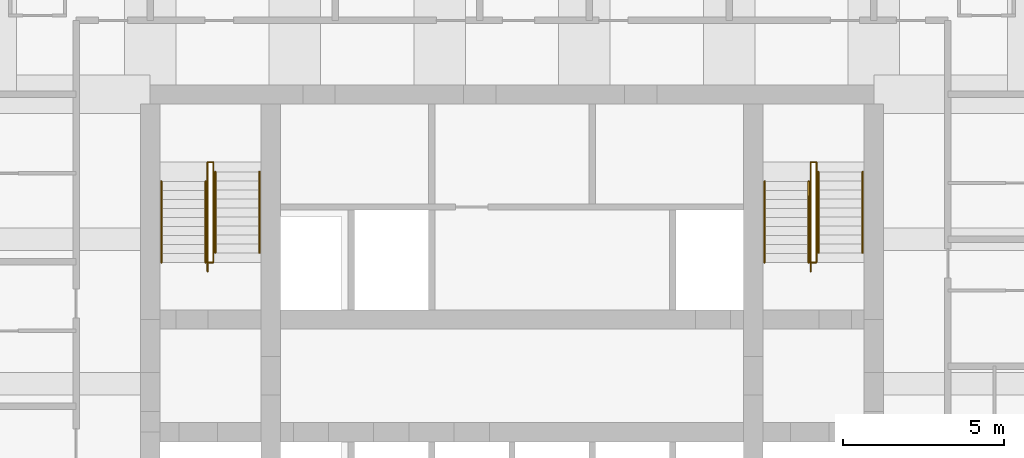
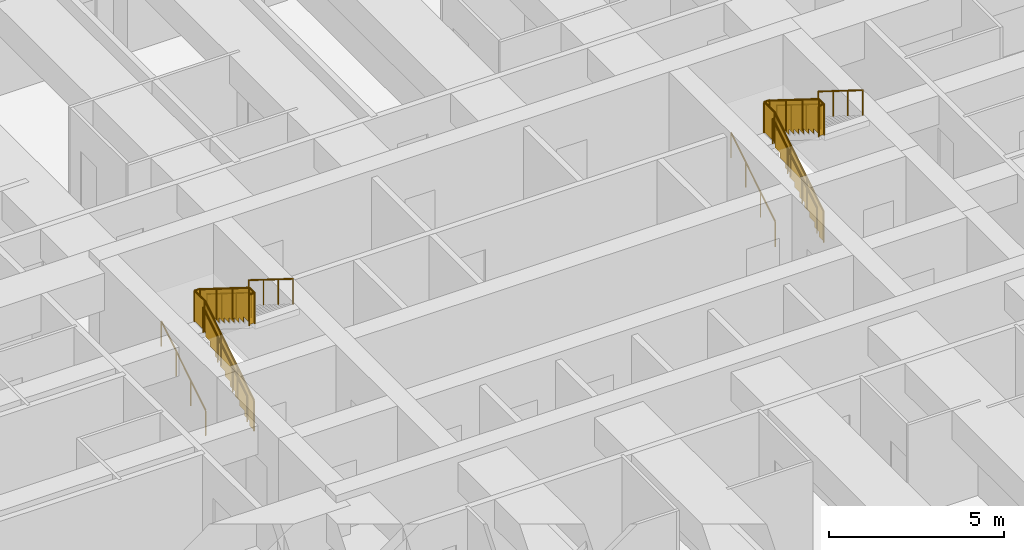
# One storey, part 8 of 8: 12 railings.
"""IFC4 building model written with IfcOpenShell, lengths in metres."""

from ifc_helpers import new_model, si_unit, direction, frame, origin, origin_2d, place, context, subcontext, project, spatial, polyline, circle, outline, extrude, material, type_object, element, save


model = new_model("IFC4")

# Units and contexts
model_context = context("Model", 3, precision=1e-05, world=origin(), true_north=direction((0.0, 1.0)))
body_context = subcontext(model_context, "Body", "Model", "MODEL_VIEW")
ifc_project = project(units=[si_unit("LENGTHUNIT", "METRE"), si_unit("AREAUNIT", "SQUARE_METRE"), si_unit("VOLUMEUNIT", "CUBIC_METRE"), si_unit("PLANEANGLEUNIT", "RADIAN"), si_unit("MASSUNIT", "GRAM", prefix="KILO")], contexts=[model_context])

# Site, building, storey
site_placement = place(None, origin())
site = spatial("IfcSite", under=ifc_project, at=site_placement, CompositionType="ELEMENT")
building_placement = place(site_placement, origin())
building = spatial("IfcBuilding", under=site, at=building_placement, Name="Kilele Tower Hotel", CompositionType="ELEMENT")
storey_placement = place(building_placement, frame((0.0, 0.0, 75.199951171875)))
storey = spatial("IfcBuildingStorey", under=building, at=storey_placement, Name="L18", CompositionType="ELEMENT", Elevation=75.199951171875)

# Railings
ifc_material_1 = material(Name="Steel handrail", Category="steel")
railing_type_1 = type_object("IfcRailingType", Name="Handrail 900", PredefinedType="HANDRAIL", material=ifc_material_1)
for number, where, name in (
    (1, (13.85009765625, 21.77490234375, 0.175048828125), "Handrail ST1 flight 1"),
    (2, (15.22509765625, 21.77490234375, 0.175048828125), "Handrail ST1 flight 1"),
):
    element("IfcRailing", number, at=place(storey_placement, frame(where)), inside=storey, type_object=railing_type_1, Name=name, PredefinedType="HANDRAIL", context=body_context, shape_type="SweptSolid", body=[
        extrude(circle(Radius=0.02490234375, at=origin_2d()), frame((0.0, 0.0, 0.875), z_axis=(0.0, 0.848007534815, 0.529984170421), x_axis=(-1.0, 0.0, 0.0)), (0.0, 0.0, 1.0), 2.9716796875),
        extrude(circle(Radius=0.02001953125, at=origin_2d()), origin(), (0.0, 0.0, 1.0), 0.849853515625),
        extrude(circle(Radius=0.02001953125, at=origin_2d()), frame((0.0, 0.840087890625, 0.52490234375)), (0.0, 0.0, 1.0), 0.849853515625),
        extrude(circle(Radius=0.02001953125, at=origin_2d()), frame((0.0, 1.679931640625, 1.050048828125)), (0.0, 0.0, 1.0), 0.849853515625),
        extrude(circle(Radius=0.02001953125, at=origin_2d()), frame((0.0, 2.52001953125, 1.574951171875)), (0.0, 0.0, 1.0), 0.849853515625),
    ])
for number, where, name in (
    (3, (15.52490234375, 24.594970703125, 1.925048828125), "Handrail ST1 flight 2"),
    (4, (16.89990234375, 24.594970703125, 1.925048828125), "Handrail ST1 flight 2"),
):
    element("IfcRailing", number, at=place(storey_placement, frame(where)), inside=storey, type_object=railing_type_1, Name=name, PredefinedType="HANDRAIL", context=body_context, shape_type="SweptSolid", body=[
        extrude(circle(Radius=0.02490234375, at=origin_2d()), frame((0.0, 0.0, 0.875), z_axis=(0.0, -0.848007534815, 0.529984170421), x_axis=(1.0, 0.0, 0.0)), (0.0, 0.0, 1.0), 2.9716796875),
        extrude(circle(Radius=0.02001953125, at=origin_2d()), origin(), (0.0, 0.0, 1.0), 0.849853515625),
        extrude(circle(Radius=0.02001953125, at=origin_2d()), frame((0.0, -0.840087890625, 0.52490234375)), (0.0, 0.0, 1.0), 0.849853515625),
        extrude(circle(Radius=0.02001953125, at=origin_2d()), frame((0.0, -1.679931640625, 1.050048828125)), (0.0, 0.0, 1.0), 0.849853515625),
        extrude(circle(Radius=0.02001953125, at=origin_2d()), frame((0.0, -2.52001953125, 1.574951171875)), (0.0, 0.0, 1.0), 0.849853515625),
    ])
for number, where, name in (
    (5, (32.60009765625, 21.77490234375, 0.175048828125), "Handrail ST2 flight 1"),
    (6, (33.97509765625, 21.77490234375, 0.175048828125), "Handrail ST2 flight 1"),
):
    element("IfcRailing", number, at=place(storey_placement, frame(where)), inside=storey, type_object=railing_type_1, Name=name, PredefinedType="HANDRAIL", context=body_context, shape_type="SweptSolid", body=[
        extrude(circle(Radius=0.02490234375, at=origin_2d()), frame((0.0, 0.0, 0.875), z_axis=(0.0, 0.848007534815, 0.529984170421), x_axis=(-1.0, 0.0, 0.0)), (0.0, 0.0, 1.0), 2.9716796875),
        extrude(circle(Radius=0.02001953125, at=origin_2d()), origin(), (0.0, 0.0, 1.0), 0.849853515625),
        extrude(circle(Radius=0.02001953125, at=origin_2d()), frame((0.0, 0.840087890625, 0.52490234375)), (0.0, 0.0, 1.0), 0.849853515625),
        extrude(circle(Radius=0.02001953125, at=origin_2d()), frame((0.0, 1.679931640625, 1.050048828125)), (0.0, 0.0, 1.0), 0.849853515625),
        extrude(circle(Radius=0.02001953125, at=origin_2d()), frame((0.0, 2.52001953125, 1.574951171875)), (0.0, 0.0, 1.0), 0.849853515625),
    ])
for number, where, name in (
    (7, (34.27490234375, 24.594970703125, 1.925048828125), "Handrail ST2 flight 2"),
    (8, (35.64990234375, 24.594970703125, 1.925048828125), "Handrail ST2 flight 2"),
):
    element("IfcRailing", number, at=place(storey_placement, frame(where)), inside=storey, type_object=railing_type_1, Name=name, PredefinedType="HANDRAIL", context=body_context, shape_type="SweptSolid", body=[
        extrude(circle(Radius=0.02490234375, at=origin_2d()), frame((0.0, 0.0, 0.875), z_axis=(0.0, -0.848007534815, 0.529984170421), x_axis=(1.0, 0.0, 0.0)), (0.0, 0.0, 1.0), 2.9716796875),
        extrude(circle(Radius=0.02001953125, at=origin_2d()), origin(), (0.0, 0.0, 1.0), 0.849853515625),
        extrude(circle(Radius=0.02001953125, at=origin_2d()), frame((0.0, -0.840087890625, 0.52490234375)), (0.0, 0.0, 1.0), 0.849853515625),
        extrude(circle(Radius=0.02001953125, at=origin_2d()), frame((0.0, -1.679931640625, 1.050048828125)), (0.0, 0.0, 1.0), 0.849853515625),
        extrude(circle(Radius=0.02001953125, at=origin_2d()), frame((0.0, -2.52001953125, 1.574951171875)), (0.0, 0.0, 1.0), 0.849853515625),
    ])
ifc_material_2 = material(Name="Steel guard", Category="steel")
railing_type_2 = type_object("IfcRailingType", Name="Stair guard 1100", PredefinedType="GUARDRAIL", material=ifc_material_2)
railing_1_placement = place(storey_placement, frame((15.284912109375, 21.4951171875, 0.0)))
element("IfcRailing", 9, at=railing_1_placement, inside=storey, type_object=railing_type_2, Name="Stair well guard ST1 flight 1", PredefinedType="GUARDRAIL", context=body_context, shape_type="SweptSolid", body=[
    extrude(circle(Radius=0.02490234375, at=origin_2d()), frame((0.0, 0.0, 1.0751953125), z_axis=(0.0, 0.847981687118, 0.530025526095), x_axis=(-1.0, 0.0, 0.0)), (0.0, 0.0, 1.0), 3.3017578125),
    extrude(circle(Radius=0.02490234375, at=origin_2d()), frame((0.0, 2.7998046875, 2.8251953125), z_axis=(0.0, 1.0, 0.0), x_axis=(-1.0, 0.0, 0.0)), (0.0, 0.0, 1.0), 0.60009765625),
    extrude(circle(Radius=0.02490234375, at=origin_2d()), frame((0.0, 3.39990234375, 2.8251953125), z_axis=(1.0, 0.0, 0.0), x_axis=(0.0, 1.0, 0.0)), (0.0, 0.0, 1.0), 0.18017578125),
    extrude(circle(Radius=0.02490234375, at=origin_2d()), origin(), (0.0, 0.0, 1.0), 1.050048828125),
    extrude(circle(Radius=0.02490234375, at=origin_2d()), frame((0.0, 0.933349609375, 0.583251953125)), (0.0, 0.0, 1.0), 1.050048828125),
    extrude(circle(Radius=0.02490234375, at=origin_2d()), frame((0.0, 1.866455078125, 1.166748046875)), (0.0, 0.0, 1.0), 1.050048828125),
    extrude(circle(Radius=0.02490234375, at=origin_2d()), frame((0.0, 2.7998046875, 1.75)), (0.0, 0.0, 1.0), 1.050048828125),
    extrude(circle(Radius=0.02490234375, at=origin_2d()), frame((0.0, 3.39990234375, 1.75)), (0.0, 0.0, 1.0), 1.050048828125),
    extrude(circle(Radius=0.02490234375, at=origin_2d()), frame((0.18017578125, 3.39990234375, 1.75)), (0.0, 0.0, 1.0), 1.050048828125),
    extrude(outline(polyline([(0.012451171875, 0.030029296875), (0.25, 0.030029296875), (0.25, 0.205078125), (0.530029296875, 0.205078125), (0.530029296875, 0.380126953125), (0.809814453125, 0.380126953125), (0.809814453125, 0.554931640625), (1.08984375, 0.554931640625), (1.08984375, 0.72998046875), (1.369873046875, 0.72998046875), (1.369873046875, 0.905029296875), (1.64990234375, 0.905029296875), (1.64990234375, 1.080078125), (1.929931640625, 1.080078125), (1.929931640625, 1.255126953125), (2.209716796875, 1.255126953125), (2.209716796875, 1.429931640625), (2.48974609375, 1.429931640625), (2.48974609375, 1.60498046875), (2.769775390625, 1.60498046875), (2.769775390625, 1.780029296875), (2.787353515625, 1.780029296875), (2.787353515625, 2.787841796875), (0.012451171875, 1.053466796875), (0.012451171875, 0.030029296875)])), frame((-0.005859375, 0.0, 0.0), z_axis=(1.0, 0.0, 0.0), x_axis=(0.0, 1.0, 0.0)), (0.0, 0.0, 1.0), 0.011962890625),
    extrude(outline(polyline([(0.012451171875, 0.030029296875), (0.587646484375, 0.030029296875), (0.587646484375, 1.050048828125), (0.012451171875, 1.050048828125), (0.012451171875, 0.030029296875)])), frame((-0.005859375, 2.7998046875, 1.75), z_axis=(1.0, 0.0, 0.0), x_axis=(0.0, 1.0, 0.0)), (0.0, 0.0, 1.0), 0.011962890625),
    extrude(outline(polyline([(0.012451171875, 0.030029296875), (0.18017578125, 0.030029296875), (0.18017578125, 1.050048828125), (0.012451171875, 1.050048828125), (0.012451171875, 0.030029296875)])), frame((0.0, 3.40576171875, 1.75), z_axis=(0.0, -1.0, 0.0), x_axis=(1.0, 0.0, 0.0)), (0.0, 0.0, 1.0), 0.011962890625),
])
railing_2_placement = place(storey_placement, frame((15.465087890625, 24.89501953125, 1.75)))
element("IfcRailing", 10, at=railing_2_placement, inside=storey, type_object=railing_type_2, Name="Stair well guard ST1 flight 2", PredefinedType="GUARDRAIL", context=body_context, shape_type="SweptSolid", body=[
    extrude(circle(Radius=0.02490234375, at=origin_2d()), frame((0.0, 0.0, 1.0751953125), z_axis=(0.0, -1.0, 0.0), x_axis=(1.0, 0.0, 0.0)), (0.0, 0.0, 1.0), 0.02001953125),
    extrude(circle(Radius=0.02490234375, at=origin_2d()), frame((0.0, -0.02001953125, 1.0751953125), z_axis=(0.0, -0.848002457836, 0.529992293815), x_axis=(1.0, 0.0, 0.0)), (0.0, 0.0, 1.0), 3.302001953125),
    extrude(circle(Radius=0.02490234375, at=origin_2d()), frame((0.0, -2.820068359375, 2.8251953125), z_axis=(0.0, -1.0, 0.0), x_axis=(1.0, 0.0, 0.0)), (0.0, 0.0, 1.0), 0.300048828125),
    extrude(circle(Radius=0.02490234375, at=origin_2d()), frame((0.0, -3.1201171875, 2.8251953125), z_axis=(-1.0, 0.0, 0.0), x_axis=(0.0, -1.0, 0.0)), (0.0, 0.0, 1.0), 0.18017578125),
    extrude(circle(Radius=0.02490234375, at=origin_2d()), origin(), (0.0, 0.0, 1.0), 1.050048828125),
    extrude(circle(Radius=0.02490234375, at=origin_2d()), frame((0.0, -0.02001953125, 0.0)), (0.0, 0.0, 1.0), 1.050048828125),
    extrude(circle(Radius=0.02490234375, at=origin_2d()), frame((0.0, -0.953369140625, 0.583251953125)), (0.0, 0.0, 1.0), 1.050048828125),
    extrude(circle(Radius=0.02490234375, at=origin_2d()), frame((0.0, -1.88671875, 1.166748046875)), (0.0, 0.0, 1.0), 1.050048828125),
    extrude(circle(Radius=0.02490234375, at=origin_2d()), frame((0.0, -2.820068359375, 1.75)), (0.0, 0.0, 1.0), 1.050048828125),
    extrude(circle(Radius=0.02490234375, at=origin_2d()), frame((0.0, -3.1201171875, 1.75)), (0.0, 0.0, 1.0), 1.050048828125),
    extrude(circle(Radius=0.02490234375, at=origin_2d()), frame((-0.18017578125, -3.1201171875, 1.75)), (0.0, 0.0, 1.0), 1.050048828125),
    extrude(outline(polyline([(0.012451171875, 0.030029296875), (0.25, 0.030029296875), (0.25, 0.205078125), (0.530029296875, 0.205078125), (0.530029296875, 0.380126953125), (0.81005859375, 0.380126953125), (0.81005859375, 0.554931640625), (1.090087890625, 0.554931640625), (1.090087890625, 0.72998046875), (1.3701171875, 0.72998046875), (1.3701171875, 0.905029296875), (1.64990234375, 0.905029296875), (1.64990234375, 1.080078125), (1.929931640625, 1.080078125), (1.929931640625, 1.255126953125), (2.2099609375, 1.255126953125), (2.2099609375, 1.429931640625), (2.489990234375, 1.429931640625), (2.489990234375, 1.60498046875), (2.77001953125, 1.60498046875), (2.77001953125, 1.780029296875), (2.78759765625, 1.780029296875), (2.78759765625, 2.787841796875), (0.012451171875, 1.053466796875), (0.012451171875, 0.030029296875)])), frame((0.005859375, -0.02001953125, 0.0), z_axis=(-1.0, 0.0, 0.0), x_axis=(0.0, -1.0, 0.0)), (0.0, 0.0, 1.0), 0.011962890625),
    extrude(outline(polyline([(0.012451171875, 0.030029296875), (0.28759765625, 0.030029296875), (0.28759765625, 1.050048828125), (0.012451171875, 1.050048828125), (0.012451171875, 0.030029296875)])), frame((0.005859375, -2.820068359375, 1.75), z_axis=(-1.0, 0.0, 0.0), x_axis=(0.0, -1.0, 0.0)), (0.0, 0.0, 1.0), 0.011962890625),
    extrude(outline(polyline([(0.012451171875, 0.030029296875), (0.18017578125, 0.030029296875), (0.18017578125, 1.050048828125), (0.012451171875, 1.050048828125), (0.012451171875, 0.030029296875)])), frame((0.0, -3.1259765625, 1.75), z_axis=(0.0, 1.0, 0.0), x_axis=(-1.0, 0.0, 0.0)), (0.0, 0.0, 1.0), 0.011962890625),
])
railing_3_placement = place(storey_placement, frame((34.034912109375, 21.4951171875, 0.0)))
element("IfcRailing", 11, at=railing_3_placement, inside=storey, type_object=railing_type_2, Name="Stair well guard ST2 flight 1", PredefinedType="GUARDRAIL", context=body_context, shape_type="SweptSolid", body=[
    extrude(circle(Radius=0.02490234375, at=origin_2d()), frame((0.0, 0.0, 1.0751953125), z_axis=(0.0, 0.847981687118, 0.530025526095), x_axis=(-1.0, 0.0, 0.0)), (0.0, 0.0, 1.0), 3.3017578125),
    extrude(circle(Radius=0.02490234375, at=origin_2d()), frame((0.0, 2.7998046875, 2.8251953125), z_axis=(0.0, 1.0, 0.0), x_axis=(-1.0, 0.0, 0.0)), (0.0, 0.0, 1.0), 0.60009765625),
    extrude(circle(Radius=0.02490234375, at=origin_2d()), frame((0.0, 3.39990234375, 2.8251953125), z_axis=(1.0, 0.0, 0.0), x_axis=(0.0, 1.0, 0.0)), (0.0, 0.0, 1.0), 0.18017578125),
    extrude(circle(Radius=0.02490234375, at=origin_2d()), origin(), (0.0, 0.0, 1.0), 1.050048828125),
    extrude(circle(Radius=0.02490234375, at=origin_2d()), frame((0.0, 0.933349609375, 0.583251953125)), (0.0, 0.0, 1.0), 1.050048828125),
    extrude(circle(Radius=0.02490234375, at=origin_2d()), frame((0.0, 1.866455078125, 1.166748046875)), (0.0, 0.0, 1.0), 1.050048828125),
    extrude(circle(Radius=0.02490234375, at=origin_2d()), frame((0.0, 2.7998046875, 1.75)), (0.0, 0.0, 1.0), 1.050048828125),
    extrude(circle(Radius=0.02490234375, at=origin_2d()), frame((0.0, 3.39990234375, 1.75)), (0.0, 0.0, 1.0), 1.050048828125),
    extrude(circle(Radius=0.02490234375, at=origin_2d()), frame((0.18017578125, 3.39990234375, 1.75)), (0.0, 0.0, 1.0), 1.050048828125),
    extrude(outline(polyline([(0.012451171875, 0.030029296875), (0.25, 0.030029296875), (0.25, 0.205078125), (0.530029296875, 0.205078125), (0.530029296875, 0.380126953125), (0.809814453125, 0.380126953125), (0.809814453125, 0.554931640625), (1.08984375, 0.554931640625), (1.08984375, 0.72998046875), (1.369873046875, 0.72998046875), (1.369873046875, 0.905029296875), (1.64990234375, 0.905029296875), (1.64990234375, 1.080078125), (1.929931640625, 1.080078125), (1.929931640625, 1.255126953125), (2.209716796875, 1.255126953125), (2.209716796875, 1.429931640625), (2.48974609375, 1.429931640625), (2.48974609375, 1.60498046875), (2.769775390625, 1.60498046875), (2.769775390625, 1.780029296875), (2.787353515625, 1.780029296875), (2.787353515625, 2.787841796875), (0.012451171875, 1.053466796875), (0.012451171875, 0.030029296875)])), frame((-0.005859375, 0.0, 0.0), z_axis=(1.0, 0.0, 0.0), x_axis=(0.0, 1.0, 0.0)), (0.0, 0.0, 1.0), 0.011962890625),
    extrude(outline(polyline([(0.012451171875, 0.030029296875), (0.587646484375, 0.030029296875), (0.587646484375, 1.050048828125), (0.012451171875, 1.050048828125), (0.012451171875, 0.030029296875)])), frame((-0.005859375, 2.7998046875, 1.75), z_axis=(1.0, 0.0, 0.0), x_axis=(0.0, 1.0, 0.0)), (0.0, 0.0, 1.0), 0.011962890625),
    extrude(outline(polyline([(0.012451171875, 0.030029296875), (0.18017578125, 0.030029296875), (0.18017578125, 1.050048828125), (0.012451171875, 1.050048828125), (0.012451171875, 0.030029296875)])), frame((0.0, 3.40576171875, 1.75), z_axis=(0.0, -1.0, 0.0), x_axis=(1.0, 0.0, 0.0)), (0.0, 0.0, 1.0), 0.011962890625),
])
railing_4_placement = place(storey_placement, frame((34.215087890625, 24.89501953125, 1.75)))
element("IfcRailing", 12, at=railing_4_placement, inside=storey, type_object=railing_type_2, Name="Stair well guard ST2 flight 2", PredefinedType="GUARDRAIL", context=body_context, shape_type="SweptSolid", body=[
    extrude(circle(Radius=0.02490234375, at=origin_2d()), frame((0.0, 0.0, 1.0751953125), z_axis=(0.0, -1.0, 0.0), x_axis=(1.0, 0.0, 0.0)), (0.0, 0.0, 1.0), 0.02001953125),
    extrude(circle(Radius=0.02490234375, at=origin_2d()), frame((0.0, -0.02001953125, 1.0751953125), z_axis=(0.0, -0.848002457836, 0.529992293815), x_axis=(1.0, 0.0, 0.0)), (0.0, 0.0, 1.0), 3.302001953125),
    extrude(circle(Radius=0.02490234375, at=origin_2d()), frame((0.0, -2.820068359375, 2.8251953125), z_axis=(0.0, -1.0, 0.0), x_axis=(1.0, 0.0, 0.0)), (0.0, 0.0, 1.0), 0.300048828125),
    extrude(circle(Radius=0.02490234375, at=origin_2d()), frame((0.0, -3.1201171875, 2.8251953125), z_axis=(-1.0, 0.0, 0.0), x_axis=(0.0, -1.0, 0.0)), (0.0, 0.0, 1.0), 0.18017578125),
    extrude(circle(Radius=0.02490234375, at=origin_2d()), origin(), (0.0, 0.0, 1.0), 1.050048828125),
    extrude(circle(Radius=0.02490234375, at=origin_2d()), frame((0.0, -0.02001953125, 0.0)), (0.0, 0.0, 1.0), 1.050048828125),
    extrude(circle(Radius=0.02490234375, at=origin_2d()), frame((0.0, -0.953369140625, 0.583251953125)), (0.0, 0.0, 1.0), 1.050048828125),
    extrude(circle(Radius=0.02490234375, at=origin_2d()), frame((0.0, -1.88671875, 1.166748046875)), (0.0, 0.0, 1.0), 1.050048828125),
    extrude(circle(Radius=0.02490234375, at=origin_2d()), frame((0.0, -2.820068359375, 1.75)), (0.0, 0.0, 1.0), 1.050048828125),
    extrude(circle(Radius=0.02490234375, at=origin_2d()), frame((0.0, -3.1201171875, 1.75)), (0.0, 0.0, 1.0), 1.050048828125),
    extrude(circle(Radius=0.02490234375, at=origin_2d()), frame((-0.18017578125, -3.1201171875, 1.75)), (0.0, 0.0, 1.0), 1.050048828125),
    extrude(outline(polyline([(0.012451171875, 0.030029296875), (0.25, 0.030029296875), (0.25, 0.205078125), (0.530029296875, 0.205078125), (0.530029296875, 0.380126953125), (0.81005859375, 0.380126953125), (0.81005859375, 0.554931640625), (1.090087890625, 0.554931640625), (1.090087890625, 0.72998046875), (1.3701171875, 0.72998046875), (1.3701171875, 0.905029296875), (1.64990234375, 0.905029296875), (1.64990234375, 1.080078125), (1.929931640625, 1.080078125), (1.929931640625, 1.255126953125), (2.2099609375, 1.255126953125), (2.2099609375, 1.429931640625), (2.489990234375, 1.429931640625), (2.489990234375, 1.60498046875), (2.77001953125, 1.60498046875), (2.77001953125, 1.780029296875), (2.78759765625, 1.780029296875), (2.78759765625, 2.787841796875), (0.012451171875, 1.053466796875), (0.012451171875, 0.030029296875)])), frame((0.005859375, -0.02001953125, 0.0), z_axis=(-1.0, 0.0, 0.0), x_axis=(0.0, -1.0, 0.0)), (0.0, 0.0, 1.0), 0.011962890625),
    extrude(outline(polyline([(0.012451171875, 0.030029296875), (0.28759765625, 0.030029296875), (0.28759765625, 1.050048828125), (0.012451171875, 1.050048828125), (0.012451171875, 0.030029296875)])), frame((0.005859375, -2.820068359375, 1.75), z_axis=(-1.0, 0.0, 0.0), x_axis=(0.0, -1.0, 0.0)), (0.0, 0.0, 1.0), 0.011962890625),
    extrude(outline(polyline([(0.012451171875, 0.030029296875), (0.18017578125, 0.030029296875), (0.18017578125, 1.050048828125), (0.012451171875, 1.050048828125), (0.012451171875, 0.030029296875)])), frame((0.0, -3.1259765625, 1.75), z_axis=(0.0, 1.0, 0.0), x_axis=(-1.0, 0.0, 0.0)), (0.0, 0.0, 1.0), 0.011962890625),
])

save(model, "model.ifc")
